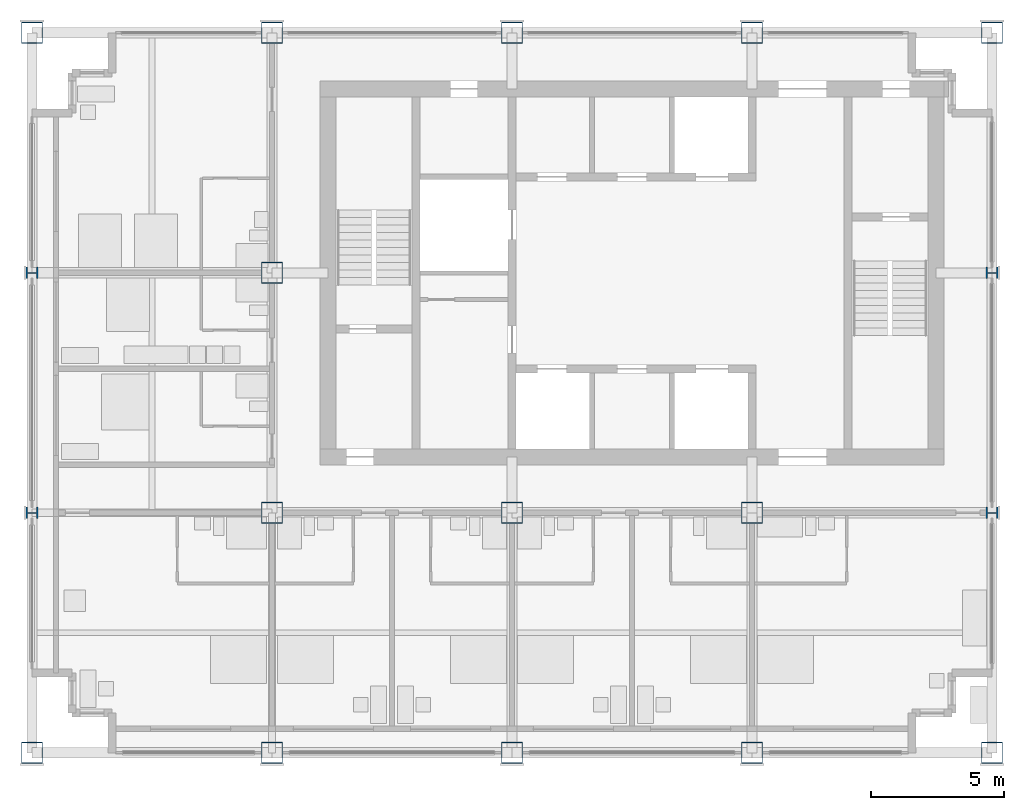
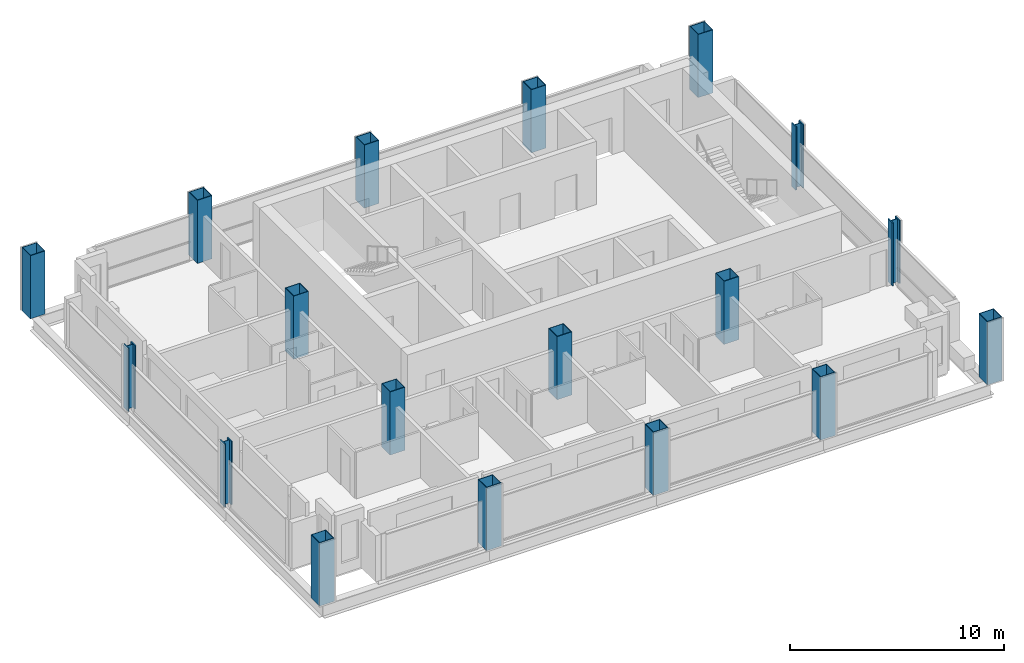
# One storey, part 1 of 12: 18 columns.
"""IFC4 building model written with IfcOpenShell, lengths in metres."""

from ifc_helpers import new_model, si_unit, direction, frame, origin, origin_2d, place, context, subcontext, project, spatial, hollow_rectangle, i_section, extrude, material, material_profile, profile_set, type_object, element, save


model = new_model("IFC4")

# Units and contexts
model_context = context("Model", 3, precision=1e-05, world=origin(), true_north=direction((0.0, 1.0)))
body_context = subcontext(model_context, "Body", "Model", "MODEL_VIEW")
ifc_project = project(units=[si_unit("LENGTHUNIT", "METRE"), si_unit("AREAUNIT", "SQUARE_METRE"), si_unit("VOLUMEUNIT", "CUBIC_METRE"), si_unit("PLANEANGLEUNIT", "RADIAN"), si_unit("MASSUNIT", "GRAM", prefix="KILO")], contexts=[model_context])

# Site, building, storey
site_placement = place(None, origin())
site = spatial("IfcSite", under=ifc_project, at=site_placement, CompositionType="ELEMENT")
building_placement = place(site_placement, origin())
building = spatial("IfcBuilding", under=site, at=building_placement, Name="Loomwork Tower", CompositionType="ELEMENT")
storey_placement = place(building_placement, frame((0.0, 0.0, 255.39990234375)))
storey = spatial("IfcBuildingStorey", under=building, at=storey_placement, Name="L70", CompositionType="ELEMENT", Elevation=255.39990234375)

# Columns
ifc_material_1 = material(Name="Steel ASTM A572 Grade 50 plate", Category="steel")
ifc_material_profile_1 = material_profile(ifc_material_1, hollow_rectangle(XDim=0.800048828125, YDim=0.800048828125, WallThickness=0.031982421875, at=origin_2d()), Name="BOX800x32")
ifc_profile_set_1 = profile_set([ifc_material_profile_1], Name="Steel ASTM A572 Grade 50 plate")
column_type_1 = type_object("IfcColumnType", Name="EXOSKELETON PIER BOX800x32", PredefinedType="COLUMN", material=ifc_profile_set_1)
for number, where, z_axis, x_axis, name in (
    (1, (0.0, 0.0, 0.0), (0.0, 0.0, 1.0), (1.0, 0.0, 0.0), "Exoskeleton Pier D/2 L70"),
    (2, (0.0, 27.0, 0.0), (0.0, 0.0, 1.0), (0.0, 1.0, 0.0), "Exoskeleton Pier G/2 L70"),
    (3, (9.0, 0.0, 0.0), (0.0, 0.0, 1.0), (1.0, 0.0, 0.0), "Exoskeleton Pier D/3 L70"),
    (4, (9.0, 27.0, 0.0), (0.0, 0.0, 1.0), (1.0, 0.0, 0.0), "Exoskeleton Pier G/3 L70"),
    (5, (18.0, 0.0, 0.0), (0.0, 0.0, 1.0), (1.0, 0.0, 0.0), "Exoskeleton Pier D/4 L70"),
    (6, (18.0, 27.0, 0.0), (0.0, 0.0, 1.0), (1.0, 0.0, 0.0), "Exoskeleton Pier G/4 L70"),
    (7, (27.0, 0.0, 0.0), (0.0, 0.0, 1.0), (1.0, 0.0, 0.0), "Exoskeleton Pier D/5 L70"),
    (8, (27.0, 27.0, 0.0), (0.0, 0.0, 1.0), (1.0, 0.0, 0.0), "Exoskeleton Pier G/5 L70"),
    (9, (36.0, 0.0, 0.0), (0.0, 0.0, 1.0), (1.0, 0.0, 0.0), "Exoskeleton Pier D/6 L70"),
    (10, (36.0, 27.0, 0.0), (0.0, 0.0, 1.0), (1.0, 0.0, 0.0), "Exoskeleton Pier G/6 L70"),
):
    element("IfcColumn", number, at=place(storey_placement, frame(where, z_axis=z_axis, x_axis=x_axis)), inside=storey, type_object=column_type_1, Name=name, PredefinedType="COLUMN", context=body_context, shape_type="SweptSolid", body=[
        extrude(hollow_rectangle(XDim=0.800048828125, YDim=0.800048828125, WallThickness=0.031982421875, at=origin_2d()), origin(), (0.0, 0.0, 1.0), 3.60009765625),
    ])
ifc_material_2 = material(Name="Steel ASTM A992", Category="steel")
ifc_material_profile_2 = material_profile(ifc_material_2, i_section(OverallWidth=0.41650390625, OverallDepth=0.444580078125, WebThickness=0.0390625, FlangeThickness=0.062744140625, at=origin_2d()), Name="W14x342")
ifc_profile_set_2 = profile_set([ifc_material_profile_2], Name="Steel ASTM A992")
column_type_2 = type_object("IfcColumnType", Name="EXOSKELETON PIER W14x342", PredefinedType="COLUMN", material=ifc_profile_set_2)
for number, where, z_axis, x_axis, name in (
    (11, (0.0, 9.0, 0.0), (0.0, 0.0, 1.0), (0.0, 1.0, 0.0), "Exoskeleton Pier E/2 L70"),
    (12, (0.0, 18.0, 0.0), (0.0, 0.0, 1.0), (0.0, 1.0, 0.0), "Exoskeleton Pier F/2 L70"),
    (13, (36.0, 9.0, 0.0), (0.0, 0.0, 1.0), (0.0, 1.0, 0.0), "Exoskeleton Pier E/6 L70"),
    (14, (36.0, 18.0, 0.0), (0.0, 0.0, 1.0), (0.0, 1.0, 0.0), "Exoskeleton Pier F/6 L70"),
):
    element("IfcColumn", number, at=place(storey_placement, frame(where, z_axis=z_axis, x_axis=x_axis)), inside=storey, type_object=column_type_2, Name=name, PredefinedType="COLUMN", context=body_context, shape_type="SweptSolid", body=[
        extrude(i_section(OverallWidth=0.41650390625, OverallDepth=0.444580078125, WebThickness=0.0390625, FlangeThickness=0.062744140625, at=origin_2d()), origin(), (0.0, 0.0, 1.0), 3.60009765625),
    ])
ifc_material_3 = material(Name="Steel ASTM A572 Grade 50 plate", Category="steel")
ifc_material_profile_3 = material_profile(ifc_material_3, hollow_rectangle(XDim=0.800048828125, YDim=0.800048828125, WallThickness=0.031982421875, at=origin_2d()), Name="BOX800x32")
ifc_profile_set_3 = profile_set([ifc_material_profile_3], Name="Steel ASTM A572 Grade 50 plate")
column_type_3 = type_object("IfcColumnType", Name="TOWER COLUMN BOX800x32", PredefinedType="COLUMN", material=ifc_profile_set_3)
for number, where, z_axis, x_axis, name in (
    (15, (9.0, 9.0, 0.0), (0.0, 0.0, 1.0), (1.0, 0.0, 0.0), "Tower Column E/3 L70"),
    (16, (9.0, 18.0, 0.0), (0.0, 0.0, 1.0), (1.0, 0.0, 0.0), "Tower Column F/3 L70"),
    (17, (18.0, 9.0, 0.0), (0.0, 0.0, 1.0), (1.0, 0.0, 0.0), "Tower Column E/4 L70"),
    (18, (27.0, 9.0, 0.0), (0.0, 0.0, 1.0), (1.0, 0.0, 0.0), "Tower Column E/5 L70"),
):
    element("IfcColumn", number, at=place(storey_placement, frame(where, z_axis=z_axis, x_axis=x_axis)), inside=storey, type_object=column_type_3, Name=name, PredefinedType="COLUMN", context=body_context, shape_type="SweptSolid", body=[
        extrude(hollow_rectangle(XDim=0.800048828125, YDim=0.800048828125, WallThickness=0.031982421875, at=origin_2d()), origin(), (0.0, 0.0, 1.0), 3.60009765625),
    ])

save(model, "model.ifc")
